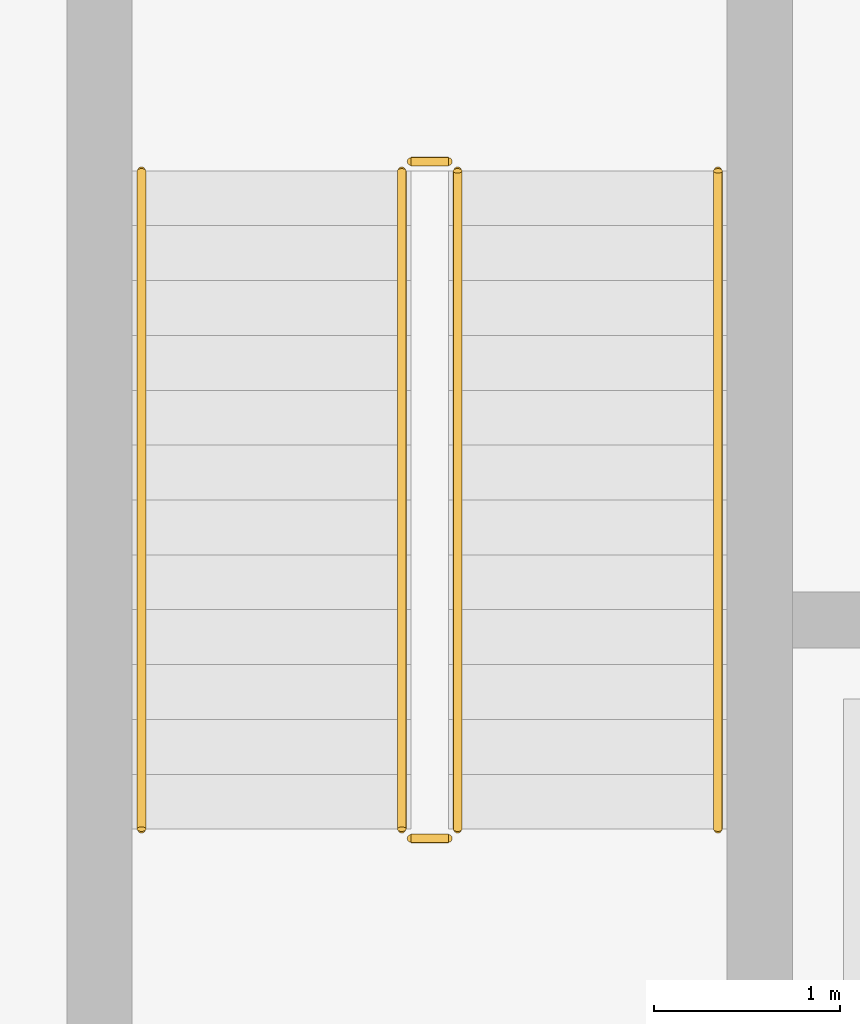
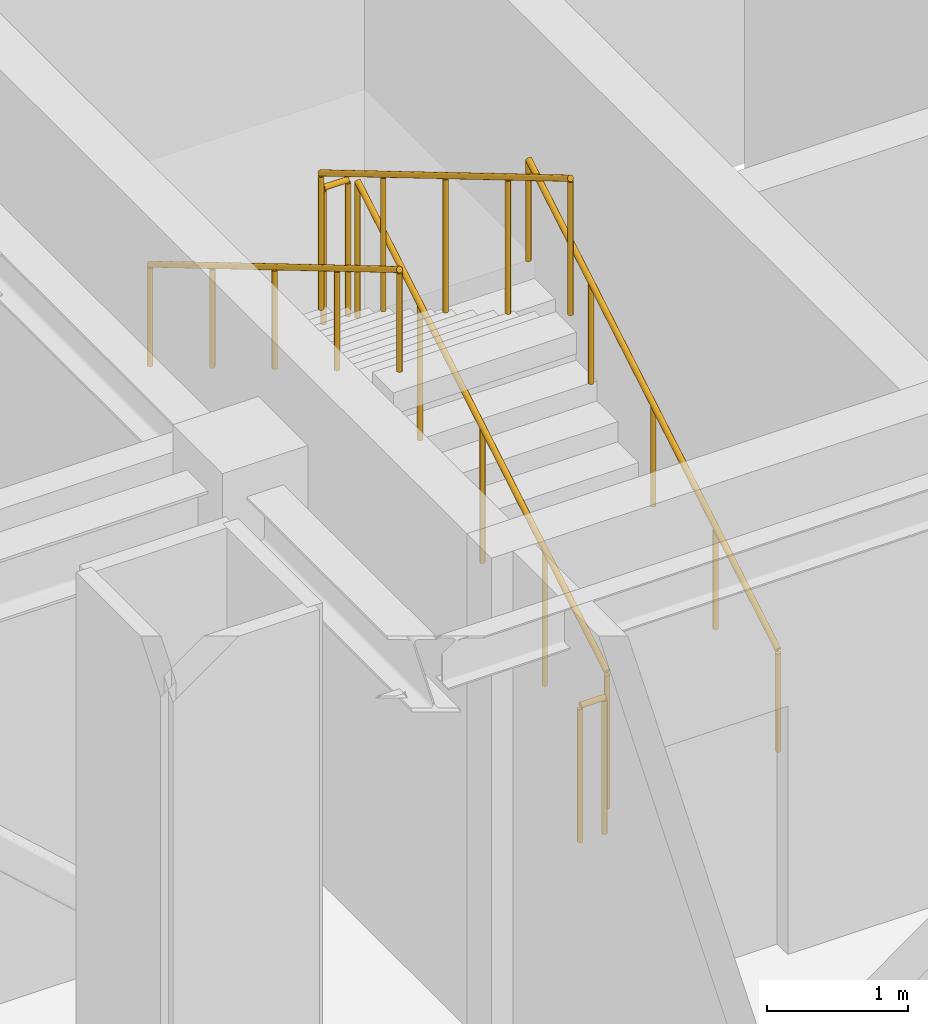
# One storey, part 30 of 32: 6 railings.
"""IFC4 building model written with IfcOpenShell, lengths in metres."""

from ifc_helpers import new_model, si_unit, direction, frame, origin, origin_2d, place, context, subcontext, project, spatial, circle, extrude, material, layer, layer_set, type_object, element, save


model = new_model("IFC4")

# Units and contexts
model_context = context("Model", 3, precision=1e-05, world=origin(), true_north=direction((0.0, 1.0)))
body_context = subcontext(model_context, "Body", "Model", "MODEL_VIEW")
ifc_project = project(units=[si_unit("LENGTHUNIT", "METRE"), si_unit("AREAUNIT", "SQUARE_METRE"), si_unit("VOLUMEUNIT", "CUBIC_METRE"), si_unit("PLANEANGLEUNIT", "RADIAN"), si_unit("MASSUNIT", "GRAM", prefix="KILO")], contexts=[model_context])

# Site, building, storey
site_placement = place(None, origin())
site = spatial("IfcSite", under=ifc_project, at=site_placement, CompositionType="ELEMENT")
building_placement = place(site_placement, origin())
building = spatial("IfcBuilding", under=site, at=building_placement, Name="Nordkorset Police Headquarters", CompositionType="ELEMENT")
storey_placement = place(building_placement, frame((0.0, 0.0, -4.550048828125)))
storey = spatial("IfcBuildingStorey", under=building, at=storey_placement, Name="B01", CompositionType="ELEMENT", Elevation=-4.550048828125)

# Railings
ifc_material_1 = material(Name="Steel S355J2", Category="steel")
ifc_layer_1 = layer(ifc_material_1, 0.048095703125, Name="Steel S355J2")
ifc_layer_set_1 = layer_set([ifc_layer_1], Name="Steel S355J2")
railing_type_1 = type_object("IfcRailingType", Name="Railing_Handrail_900", PredefinedType="HANDRAIL", material=ifc_layer_set_1)
railing_1_placement = place(storey_placement, frame((62.074951171875, 110.52490234375, 0.175048828125)))
element("IfcRailing", 1, at=railing_1_placement, inside=storey, type_object=railing_type_1, Name="B01 ST-02 stair handrail 1", PredefinedType="HANDRAIL", context=body_context, shape_type="SweptSolid", body=[
    extrude(circle(Radius=0.02392578125, at=origin_2d()), frame((0.0, 0.0, 0.8759765625), z_axis=(0.0, 0.860046713364, 0.510215298508), x_axis=(-1.0, 0.0, 0.0)), (0.0, 0.0, 1.0), 4.1162109375),
    extrude(circle(Radius=0.02099609375, at=origin_2d()), origin(), (0.0, 0.0, 1.0), 0.851806640625),
    extrude(circle(Radius=0.02099609375, at=origin_2d()), frame((0.0, 0.885009765625, 0.52490234375)), (0.0, 0.0, 1.0), 0.851806640625),
    extrude(circle(Radius=0.02099609375, at=origin_2d()), frame((0.0, 1.77001953125, 1.050048828125)), (0.0, 0.0, 1.0), 0.851806640625),
    extrude(circle(Radius=0.02099609375, at=origin_2d()), frame((0.0, 2.655029296875, 1.5751953125)), (0.0, 0.0, 1.0), 0.851806640625),
    extrude(circle(Radius=0.02099609375, at=origin_2d()), frame((0.0, 3.5400390625, 2.10009765625)), (0.0, 0.0, 1.0), 0.851806640625),
])
railing_2_placement = place(storey_placement, frame((58.97509765625, 114.06494140625, 2.449951171875)))
element("IfcRailing", 2, at=railing_2_placement, inside=storey, type_object=railing_type_1, Name="B01 ST-02 stair handrail 2", PredefinedType="HANDRAIL", context=body_context, shape_type="SweptSolid", body=[
    extrude(circle(Radius=0.02392578125, at=origin_2d()), frame((0.0, 0.0, 0.8759765625), z_axis=(0.0, -0.860046713364, 0.510215298508), x_axis=(1.0, 0.0, 0.0)), (0.0, 0.0, 1.0), 4.1162109375),
    extrude(circle(Radius=0.02099609375, at=origin_2d()), origin(), (0.0, 0.0, 1.0), 0.851806640625),
    extrude(circle(Radius=0.02099609375, at=origin_2d()), frame((0.0, -0.885009765625, 0.52490234375)), (0.0, 0.0, 1.0), 0.851806640625),
    extrude(circle(Radius=0.02099609375, at=origin_2d()), frame((0.0, -1.77001953125, 1.050048828125)), (0.0, 0.0, 1.0), 0.851806640625),
    extrude(circle(Radius=0.02099609375, at=origin_2d()), frame((0.0, -2.655029296875, 1.5751953125)), (0.0, 0.0, 1.0), 0.851806640625),
    extrude(circle(Radius=0.02099609375, at=origin_2d()), frame((0.0, -3.5400390625, 2.10009765625)), (0.0, 0.0, 1.0), 0.851806640625),
])
ifc_material_2 = material(Name="Steel S355J2", Category="steel")
ifc_layer_2 = layer(ifc_material_2, 0.050048828125, Name="Steel S355J2")
ifc_layer_set_2 = layer_set([ifc_layer_2], Name="Steel S355J2")
railing_type_2 = type_object("IfcRailingType", Name="Railing_StairGuard_1200", PredefinedType="GUARDRAIL", material=ifc_layer_set_2)
railing_3_placement = place(storey_placement, frame((60.675048828125, 110.52490234375, 0.175048828125)))
element("IfcRailing", 3, at=railing_3_placement, inside=storey, type_object=railing_type_2, Name="B01 ST-02 stair guard 1", PredefinedType="GUARDRAIL", context=body_context, shape_type="SweptSolid", body=[
    extrude(circle(Radius=0.02392578125, at=origin_2d()), frame((0.0, 0.0, 1.17578125), z_axis=(0.0, 0.860046713364, 0.510215298508), x_axis=(-1.0, 0.0, 0.0)), (0.0, 0.0, 1.0), 4.1162109375),
    extrude(circle(Radius=0.02099609375, at=origin_2d()), origin(), (0.0, 0.0, 1.0), 1.15185546875),
    extrude(circle(Radius=0.02099609375, at=origin_2d()), frame((0.0, 0.885009765625, 0.52490234375)), (0.0, 0.0, 1.0), 1.15185546875),
    extrude(circle(Radius=0.02099609375, at=origin_2d()), frame((0.0, 1.77001953125, 1.050048828125)), (0.0, 0.0, 1.0), 1.15185546875),
    extrude(circle(Radius=0.02099609375, at=origin_2d()), frame((0.0, 2.655029296875, 1.5751953125)), (0.0, 0.0, 1.0), 1.15185546875),
    extrude(circle(Radius=0.02099609375, at=origin_2d()), frame((0.0, 3.5400390625, 2.10009765625)), (0.0, 0.0, 1.0), 1.15185546875),
])
railing_4_placement = place(storey_placement, frame((60.625, 114.114990234375, 2.275146484375)))
element("IfcRailing", 4, at=railing_4_placement, inside=storey, type_object=railing_type_2, Name="B01 ST-02 stair guard 2", PredefinedType="GUARDRAIL", context=body_context, shape_type="SweptSolid", body=[
    extrude(circle(Radius=0.02392578125, at=origin_2d()), frame((0.0, 0.0, 1.17578125), z_axis=(-1.0, 0.0, 0.0), x_axis=(0.0, -1.0, 0.0)), (0.0, 0.0, 1.0), 0.199951171875),
    extrude(circle(Radius=0.02099609375, at=origin_2d()), origin(), (0.0, 0.0, 1.0), 1.15185546875),
    extrude(circle(Radius=0.02099609375, at=origin_2d()), frame((-0.199951171875, 0.0, 0.0)), (0.0, 0.0, 1.0), 1.15185546875),
])
railing_5_placement = place(storey_placement, frame((60.375, 114.06494140625, 2.449951171875)))
element("IfcRailing", 5, at=railing_5_placement, inside=storey, type_object=railing_type_2, Name="B01 ST-02 stair guard 3", PredefinedType="GUARDRAIL", context=body_context, shape_type="SweptSolid", body=[
    extrude(circle(Radius=0.02392578125, at=origin_2d()), frame((0.0, 0.0, 1.17578125), z_axis=(0.0, -0.860046713364, 0.510215298508), x_axis=(1.0, 0.0, 0.0)), (0.0, 0.0, 1.0), 4.1162109375),
    extrude(circle(Radius=0.02099609375, at=origin_2d()), origin(), (0.0, 0.0, 1.0), 1.15185546875),
    extrude(circle(Radius=0.02099609375, at=origin_2d()), frame((0.0, -0.885009765625, 0.52490234375)), (0.0, 0.0, 1.0), 1.15185546875),
    extrude(circle(Radius=0.02099609375, at=origin_2d()), frame((0.0, -1.77001953125, 1.050048828125)), (0.0, 0.0, 1.0), 1.15185546875),
    extrude(circle(Radius=0.02099609375, at=origin_2d()), frame((0.0, -2.655029296875, 1.5751953125)), (0.0, 0.0, 1.0), 1.15185546875),
    extrude(circle(Radius=0.02099609375, at=origin_2d()), frame((0.0, -3.5400390625, 2.10009765625)), (0.0, 0.0, 1.0), 1.15185546875),
])
railing_6_placement = place(storey_placement, frame((60.625, 110.47509765625, 0.0)))
element("IfcRailing", 6, at=railing_6_placement, inside=storey, type_object=railing_type_2, Name="B01 ST-02 stair guard 4", PredefinedType="GUARDRAIL", context=body_context, shape_type="SweptSolid", body=[
    extrude(circle(Radius=0.02392578125, at=origin_2d()), frame((0.0, 0.0, 1.17578125), z_axis=(-1.0, 0.0, 0.0), x_axis=(0.0, -1.0, 0.0)), (0.0, 0.0, 1.0), 0.199951171875),
    extrude(circle(Radius=0.02099609375, at=origin_2d()), origin(), (0.0, 0.0, 1.0), 1.15185546875),
    extrude(circle(Radius=0.02099609375, at=origin_2d()), frame((-0.199951171875, 0.0, 0.0)), (0.0, 0.0, 1.0), 1.15185546875),
])

save(model, "model.ifc")
